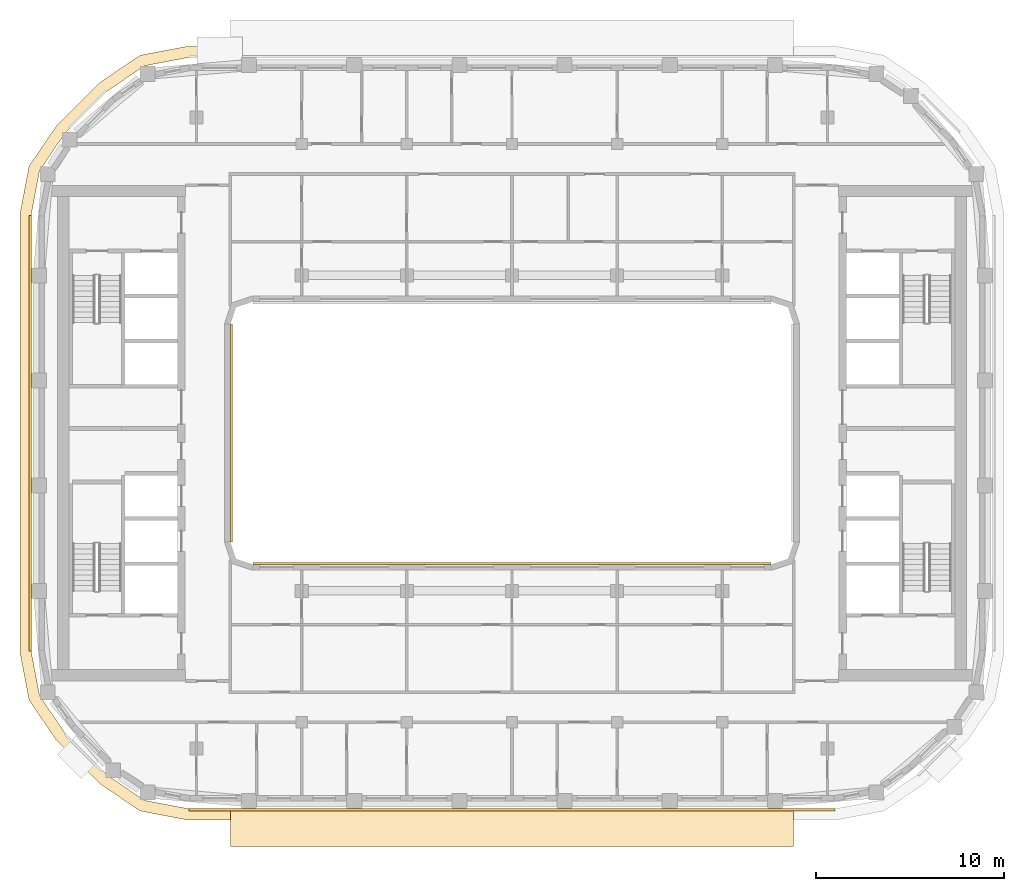
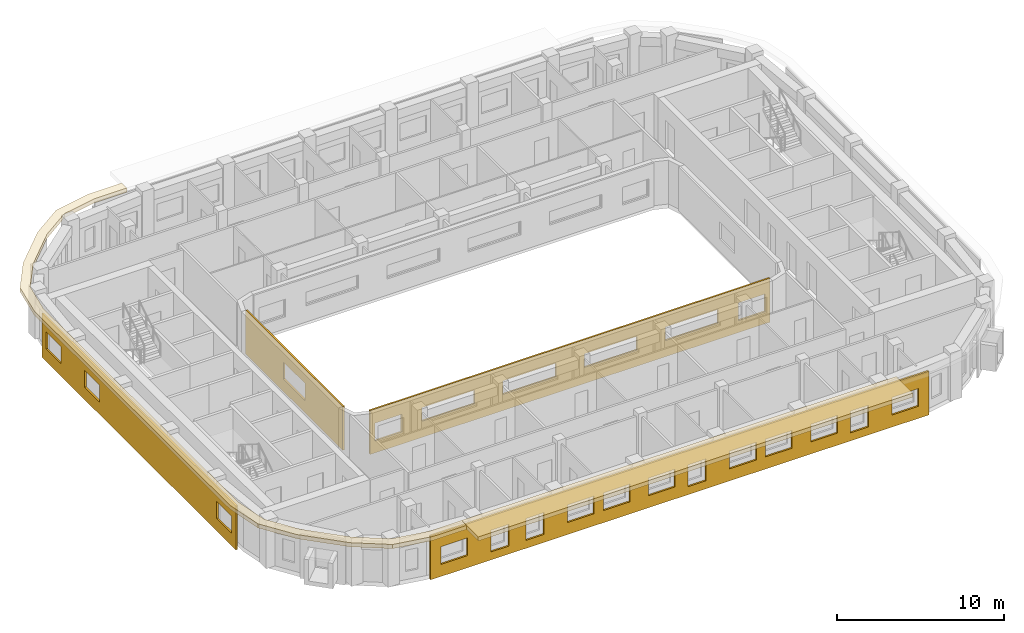
# One storey, part 11 of 16: 6 coverings.
"""IFC4 building model written with IfcOpenShell, lengths in metres."""

from ifc_helpers import new_model, si_unit, direction, frame, origin, place, context, subcontext, project, spatial, polyline, outline, extrude, material, layer, layer_set, type_object, element, save


model = new_model("IFC4")

# Units and contexts
model_context = context("Model", 3, precision=1e-05, world=origin(), true_north=direction((0.0, 1.0)))
body_context = subcontext(model_context, "Body", "Model", "MODEL_VIEW")
ifc_project = project(units=[si_unit("LENGTHUNIT", "METRE"), si_unit("AREAUNIT", "SQUARE_METRE"), si_unit("VOLUMEUNIT", "CUBIC_METRE"), si_unit("PLANEANGLEUNIT", "RADIAN"), si_unit("MASSUNIT", "GRAM", prefix="KILO")], contexts=[model_context])

# Site, building, storey
site_placement = place(None, origin())
site = spatial("IfcSite", under=ifc_project, at=site_placement, CompositionType="ELEMENT")
building_placement = place(site_placement, origin())
building = spatial("IfcBuilding", under=site, at=building_placement, Name="Kiln Ring Residences", CompositionType="ELEMENT")
storey_placement = place(building_placement, frame((0.0, 0.0, 245.199951171875)))
storey = spatial("IfcBuildingStorey", under=building, at=storey_placement, Name="L63", CompositionType="ELEMENT", Elevation=245.199951171875)

# Coverings
ifc_material_1 = material(Name="Brick masonry, dark clay brick", Category="masonry")
ifc_layer_1 = layer(ifc_material_1, 0.1201171875)
ifc_layer_set_1 = layer_set([ifc_layer_1], Name="RAINSCREEN PANEL 120")
covering_type_1 = type_object("IfcCoveringType", Name="RAINSCREEN PANEL 120", PredefinedType="CLADDING", material=ifc_layer_set_1)
covering_1_placement = place(storey_placement, frame((-17.199951171875, -20.06005859375, 0.0), z_axis=(0.0, 0.0, 1.0), x_axis=(1.0, 0.0, 0.0)))
element("IfcCovering", 1, at=covering_1_placement, inside=storey, type_object=covering_type_1, Name="RAINSCREEN L63", PredefinedType="CLADDING", context=body_context, shape_type="SweptSolid", body=[
    extrude(outline(polyline([(0.0, 0.0), (34.39990234375, 0.0), (34.39990234375, 3.199951171875), (0.0, 3.199951171875), (0.0, 0.0)]), holes=[polyline([(4.179931640625, 0.580078125), (5.419921875, 0.580078125), (5.419921875, 2.170166015625), (4.179931640625, 2.170166015625), (4.179931640625, 0.580078125)]), polyline([(6.580078125, 2.170166015625), (6.580078125, 0.580078125), (7.820068359375, 0.580078125), (7.820068359375, 2.170166015625), (6.580078125, 2.170166015625)]), polyline([(0.717529296875, 2.170166015625), (0.717529296875, 0.880126953125), (2.5576171875, 0.880126953125), (2.5576171875, 2.170166015625), (0.717529296875, 2.170166015625)]), polyline([(9.4423828125, 0.880126953125), (11.282470703125, 0.880126953125), (11.282470703125, 2.170166015625), (9.4423828125, 2.170166015625), (9.4423828125, 0.880126953125)]), polyline([(11.91748046875, 2.170166015625), (11.91748046875, 0.880126953125), (13.757568359375, 0.880126953125), (13.757568359375, 2.170166015625), (11.91748046875, 2.170166015625)]), polyline([(15.04248046875, 2.170166015625), (15.04248046875, 0.880126953125), (16.882568359375, 0.880126953125), (16.882568359375, 2.170166015625), (15.04248046875, 2.170166015625)]), polyline([(17.780029296875, 0.580078125), (19.02001953125, 0.580078125), (19.02001953125, 2.170166015625), (17.780029296875, 2.170166015625), (17.780029296875, 0.580078125)]), polyline([(28.97998046875, 2.170166015625), (28.97998046875, 0.580078125), (30.219970703125, 0.580078125), (30.219970703125, 2.170166015625), (28.97998046875, 2.170166015625)]), polyline([(20.642578125, 2.170166015625), (20.642578125, 0.880126953125), (22.482421875, 0.880126953125), (22.482421875, 2.170166015625), (20.642578125, 2.170166015625)]), polyline([(23.117431640625, 0.880126953125), (24.95751953125, 0.880126953125), (24.95751953125, 2.170166015625), (23.117431640625, 2.170166015625), (23.117431640625, 0.880126953125)]), polyline([(26.242431640625, 2.170166015625), (26.242431640625, 0.880126953125), (28.08251953125, 0.880126953125), (28.08251953125, 2.170166015625), (26.242431640625, 2.170166015625)]), polyline([(31.842529296875, 2.170166015625), (31.842529296875, 0.880126953125), (33.6826171875, 0.880126953125), (33.6826171875, 2.170166015625), (31.842529296875, 2.170166015625)])]), frame((0.0, 0.06005859375, 0.0), z_axis=(0.0, -1.0, 0.0), x_axis=(1.0, 0.0, 0.0)), (0.0, 0.0, 1.0), 0.1201171875),
])
covering_2_placement = place(storey_placement, frame((-25.659912109375, 11.60009765625, 0.0), z_axis=(0.0, 0.0, 1.0), x_axis=(0.0, -1.0, 0.0)))
element("IfcCovering", 2, at=covering_2_placement, inside=storey, type_object=covering_type_1, Name="RAINSCREEN L63", PredefinedType="CLADDING", context=body_context, shape_type="SweptSolid", body=[
    extrude(outline(polyline([(0.0, 0.0), (23.199951171875, 0.0), (23.199951171875, 3.199951171875), (0.0, 3.199951171875), (0.0, 0.0)]), holes=[polyline([(2.300048828125, 2.150146484375), (0.5, 2.150146484375), (0.5, 0.900146484375), (2.300048828125, 0.900146484375), (2.300048828125, 2.150146484375)]), polyline([(6.89990234375, 0.900146484375), (6.89990234375, 2.150146484375), (5.10009765625, 2.150146484375), (5.10009765625, 0.900146484375), (6.89990234375, 0.900146484375)]), polyline([(22.699951171875, 0.900146484375), (22.699951171875, 2.150146484375), (20.89990234375, 2.150146484375), (20.89990234375, 0.900146484375), (22.699951171875, 0.900146484375)])]), frame((0.0, 0.06005859375, 0.0), z_axis=(0.0, -1.0, 0.0), x_axis=(1.0, 0.0, 0.0)), (0.0, 0.0, 1.0), 0.1201171875),
])
covering_3_placement = place(storey_placement, frame((-14.93994140625, -5.800048828125, 0.0), z_axis=(0.0, 0.0, 1.0), x_axis=(0.0, 1.0, 0.0)))
element("IfcCovering", 3, at=covering_3_placement, inside=storey, type_object=covering_type_1, Name="RAINSCREEN L63", PredefinedType="CLADDING", context=body_context, shape_type="SweptSolid", body=[
    extrude(outline(polyline([(0.0, 0.0), (11.60009765625, 0.0), (11.60009765625, 3.199951171875), (0.0, 3.199951171875), (0.0, 0.0)]), holes=[polyline([(4.5, 2.150146484375), (4.5, 0.900146484375), (7.10009765625, 0.900146484375), (7.10009765625, 2.150146484375), (4.5, 2.150146484375)])]), frame((0.0, 0.06005859375, 0.0), z_axis=(0.0, -1.0, 0.0), x_axis=(1.0, 0.0, 0.0)), (0.0, 0.0, 1.0), 0.1201171875),
])
covering_4_placement = place(storey_placement, frame((13.800048828125, -6.93994140625, 0.0), z_axis=(0.0, 0.0, 1.0), x_axis=(-1.0, 0.0, 0.0)))
element("IfcCovering", 4, at=covering_4_placement, inside=storey, type_object=covering_type_1, Name="RAINSCREEN L63", PredefinedType="CLADDING", context=body_context, shape_type="SweptSolid", body=[
    extrude(outline(polyline([(0.0, 0.0), (27.60009765625, 0.0), (27.60009765625, 3.199951171875), (0.0, 3.199951171875), (0.0, 0.0)]), holes=[polyline([(2.1826171875, 0.880126953125), (2.1826171875, 2.170166015625), (0.342529296875, 2.170166015625), (0.342529296875, 0.880126953125), (2.1826171875, 0.880126953125)]), polyline([(25.41748046875, 0.880126953125), (27.257568359375, 0.880126953125), (27.257568359375, 2.170166015625), (25.41748046875, 2.170166015625), (25.41748046875, 0.880126953125)]), polyline([(3.580078125, 1.179931640625), (7.219970703125, 1.179931640625), (7.219970703125, 2.170166015625), (3.580078125, 2.170166015625), (3.580078125, 1.179931640625)]), polyline([(12.820068359375, 1.179931640625), (12.820068359375, 2.170166015625), (9.179931640625, 2.170166015625), (9.179931640625, 1.179931640625), (12.820068359375, 1.179931640625)]), polyline([(14.780029296875, 1.179931640625), (18.419921875, 1.179931640625), (18.419921875, 2.170166015625), (14.780029296875, 2.170166015625), (14.780029296875, 1.179931640625)]), polyline([(20.3798828125, 1.179931640625), (24.02001953125, 1.179931640625), (24.02001953125, 2.170166015625), (20.3798828125, 2.170166015625), (20.3798828125, 1.179931640625)])]), frame((0.0, 0.06005859375, 0.0), z_axis=(0.0, -1.0, 0.0), x_axis=(1.0, 0.0, 0.0)), (0.0, 0.0, 1.0), 0.1201171875),
])
ifc_material_2 = material(Name="Black powder-coated steel", Category="steel")
ifc_layer_2 = layer(ifc_material_2, 0.300048828125)
ifc_layer_set_2 = layer_set([ifc_layer_2], Name="SUNSHADE BAND 2000")
covering_type_2 = type_object("IfcCoveringType", Name="SUNSHADE BAND 2000", PredefinedType="CLADDING", material=ifc_layer_set_2)
placement = place(storey_placement, frame((0.0, 0.0, 3.199951171875)))
element("IfcCovering", 5, at=placement, inside=storey, type_object=covering_type_2, Name="SUNSHADE BAND L63", PredefinedType="CLADDING", context=body_context, shape_type="SweptSolid", body=[
    extrude(outline(polyline([(-15.0, -22.0), (15.0, -22.0), (15.0, -20.0), (-15.0, -20.0), (-15.0, -22.0)])), origin(), (0.0, 0.0, 1.0), 0.300048828125),
])
ifc_material_3 = material(Name="Black powder-coated steel", Category="steel")
ifc_layer_3 = layer(ifc_material_3, 0.300048828125)
ifc_layer_set_3 = layer_set([ifc_layer_3], Name="SUNSHADE FIN 600")
covering_type_3 = type_object("IfcCoveringType", Name="SUNSHADE FIN 600", PredefinedType="CLADDING", material=ifc_layer_set_3)
element("IfcCovering", 6, at=placement, inside=storey, type_object=covering_type_3, Name="SUNSHADE FIN L63", PredefinedType="CLADDING", context=body_context, shape_type="SweptSolid", body=[
    extrude(outline(polyline([(-26.199951171875, -11.694580078125), (-25.71923828125, -14.215087890625), (-24.27685546875, -16.33740234375), (-21.937255859375, -18.677001953125), (-19.815185546875, -20.119140625), (-17.29443359375, -20.60009765625), (-15.0, -20.60009765625), (-15.0, -20.0), (-17.23779296875, -20.0), (-19.58056640625, -19.552978515625), (-21.55322265625, -18.21240234375), (-23.8125, -15.953125), (-25.153076171875, -13.980712890625), (-25.60009765625, -11.6376953125), (-25.60009765625, 11.6376953125), (-25.153076171875, 13.980712890625), (-23.8125, 15.953125), (-21.55322265625, 18.21240234375), (-19.58056640625, 19.552978515625), (-17.23779296875, 20.0), (-15.0, 20.0), (-15.0, 20.60009765625), (-17.29443359375, 20.60009765625), (-19.815185546875, 20.119140625), (-21.937255859375, 18.677001953125), (-24.27685546875, 16.33740234375), (-25.71923828125, 14.215087890625), (-26.199951171875, 11.694580078125), (-26.199951171875, -11.694580078125)])), origin(), (0.0, 0.0, 1.0), 0.300048828125),
])

save(model, "model.ifc")
